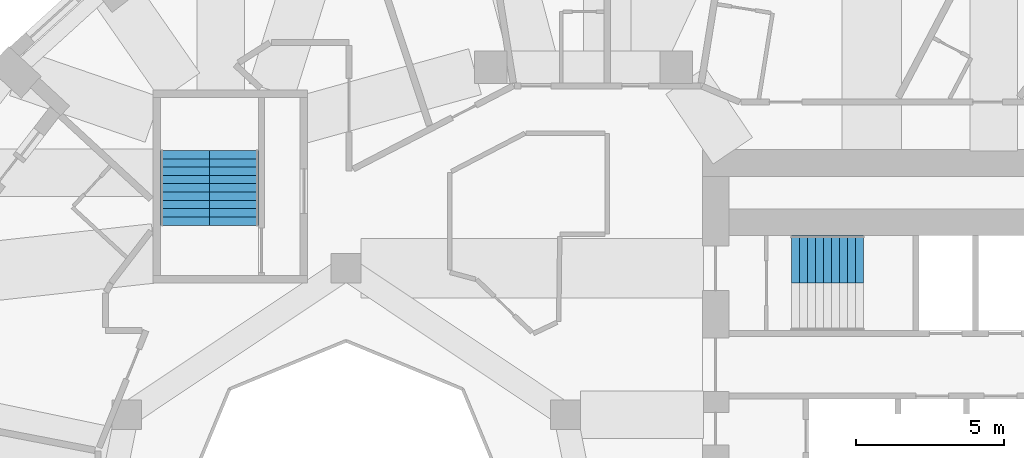
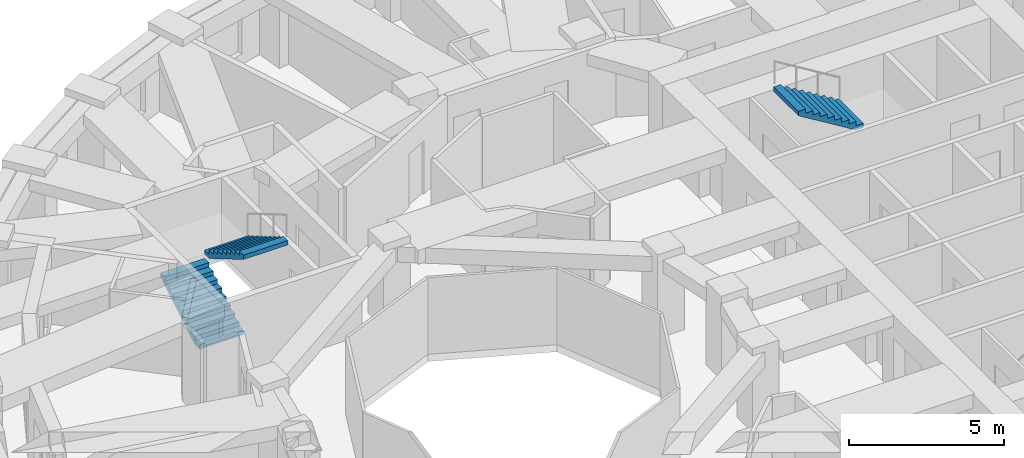
# One storey, part 10 of 13: 3 stair flights, 2 elements without a shape of their own.
"""IFC4 building model written with IfcOpenShell, lengths in metres."""

from ifc_helpers import new_model, si_unit, direction, frame, origin, place, context, subcontext, project, spatial, polyline, outline, extrude, material, type_object, element, aggregate, save


model = new_model("IFC4")

# Units and contexts
model_context = context("Model", 3, precision=1e-05, world=origin(), true_north=direction((0.0, 1.0)))
body_context = subcontext(model_context, "Body", "Model", "MODEL_VIEW")
ifc_project = project(units=[si_unit("LENGTHUNIT", "METRE"), si_unit("AREAUNIT", "SQUARE_METRE"), si_unit("VOLUMEUNIT", "CUBIC_METRE"), si_unit("PLANEANGLEUNIT", "RADIAN"), si_unit("MASSUNIT", "GRAM", prefix="KILO")], contexts=[model_context])

# Site, building, storey
site_placement = place(None, origin())
site = spatial("IfcSite", under=ifc_project, at=site_placement, CompositionType="ELEMENT")
building_placement = place(site_placement, origin())
building = spatial("IfcBuilding", under=site, at=building_placement, Name="Taillehof Tower", CompositionType="ELEMENT")
storey_placement = place(building_placement, frame((0.0, 0.0, 112.0)))
storey = spatial("IfcBuildingStorey", under=building, at=storey_placement, Name="L31", CompositionType="ELEMENT", Elevation=112.0)

# Stair, stair flight
ifc_material_1 = material(Name="Concrete C40/50", Category="concrete")
stair_type = type_object("IfcStairType", Name="Exit stair half-turn", PredefinedType="HALF_TURN_STAIR", material=ifc_material_1)
stair_1_placement = place(storey_placement, origin())
stair_1 = element("IfcStair", 1, at=stair_1_placement, inside=storey, type_object=stair_type, Name="Exit stair S1", PredefinedType="HALF_TURN_STAIR")
ifc_material_2 = material(Name="Concrete C40/50", Category="concrete")
stair_flight_type_1 = type_object("IfcStairFlightType", Name="Stair flight 1600 riser 165.0 going 270", PredefinedType="STRAIGHT", material=ifc_material_2)
stair_flight_1_placement = place(storey_placement, frame((9.429931640625, 8.300048828125, 1.64990234375), z_axis=(0.0, 0.0, 1.0), x_axis=(-1.0, 0.0, 0.0)))
stair_flight_1 = element("IfcStairFlight", 2, at=stair_flight_1_placement, type_object=stair_flight_type_1, Name="S1 flight 2", NumberOfRisers=10, NumberOfTreads=9, PredefinedType="STRAIGHT", RiserHeight=0.165, TreadLength=0.27, context=body_context, shape_type="SweptSolid", body=[
    extrude(outline(polyline([(0.0, 0.0), (0.0, 0.00537109375), (0.0, 0.0107421875), (0.0, 0.015869140625), (0.0, 0.021240234375), (0.0, 0.026611328125), (0.0, 0.031982421875), (0.0, 0.037353515625), (0.0, 0.04248046875), (0.0, 0.0478515625), (0.0, 0.05322265625), (0.0, 0.05859375), (0.0, 0.06396484375), (0.0, 0.069091796875), (0.0, 0.074462890625), (0.0, 0.079833984375), (0.0, 0.085205078125), (0.0, 0.090576171875), (0.0, 0.095703125), (0.0, 0.10107421875), (0.0, 0.1064453125), (0.0, 0.11181640625), (0.0, 0.1171875), (0.0, 0.122314453125), (0.0, 0.127685546875), (0.0, 0.133056640625), (0.0, 0.138427734375), (0.0, 0.143798828125), (0.0, 0.14892578125), (0.0, 0.154296875), (0.0, 0.15966796875), (0.0, 0.1650390625), (0.27001953125, 0.1650390625), (0.27001953125, 0.330078125), (0.5400390625, 0.330078125), (0.5400390625, 0.4951171875), (0.81005859375, 0.4951171875), (0.81005859375, 0.659912109375), (1.080078125, 0.659912109375), (1.080078125, 0.824951171875), (1.35009765625, 0.824951171875), (1.35009765625, 0.989990234375), (1.6201171875, 0.989990234375), (1.6201171875, 1.155029296875), (1.889892578125, 1.155029296875), (1.889892578125, 1.320068359375), (2.159912109375, 1.320068359375), (2.159912109375, 1.485107421875), (2.429931640625, 1.485107421875), (2.429931640625, 1.479248046875), (2.429931640625, 1.4736328125), (2.429931640625, 1.468017578125), (2.429931640625, 1.46240234375), (2.429931640625, 1.45654296875), (2.429931640625, 1.450927734375), (2.429931640625, 1.4453125), (2.429931640625, 1.439697265625), (2.429931640625, 1.43408203125), (2.429931640625, 1.42822265625), (2.429931640625, 1.422607421875), (2.429931640625, 1.4169921875), (2.429931640625, 1.411376953125), (2.429931640625, 1.40576171875), (2.429931640625, 1.39990234375), (2.429931640625, 1.394287109375), (2.429931640625, 1.388671875), (2.429931640625, 1.383056640625), (2.429931640625, 1.37744140625), (2.429931640625, 1.37158203125), (2.429931640625, 1.365966796875), (2.429931640625, 1.3603515625), (2.429931640625, 1.354736328125), (2.429931640625, 1.348876953125), (2.429931640625, 1.34326171875), (2.429931640625, 1.337646484375), (2.429931640625, 1.33203125), (2.429931640625, 1.326416015625), (2.429931640625, 1.320556640625), (2.429931640625, 1.31494140625), (2.429931640625, 1.309326171875), (0.287353515625, 0.0), (0.0, 0.0)])), frame((0.0, 0.800048828125, 0.0), z_axis=(0.0, -1.0, 0.0), x_axis=(1.0, 0.0, 0.0)), (0.0, 0.0, 1.0), 1.6),
])
aggregate(stair_1, [stair_flight_1])

# Stair, stair flights
stair_2_placement = place(storey_placement, origin())
stair_2 = element("IfcStair", 3, at=stair_2_placement, inside=storey, type_object=stair_type, Name="Exit stair S3", PredefinedType="HALF_TURN_STAIR")
ifc_material_3 = material(Name="Concrete C40/50", Category="concrete")
stair_flight_type_2 = type_object("IfcStairFlightType", Name="Stair flight 1650 riser 165.0 going 280", PredefinedType="STRAIGHT", material=ifc_material_3)
stair_flight_2_placement = place(storey_placement, frame((-13.425048828125, 9.449951171875, 0.0), z_axis=(0.0, 0.0, 1.0), x_axis=(0.0, 1.0, 0.0)))
stair_flight_2 = element("IfcStairFlight", 4, at=stair_flight_2_placement, type_object=stair_flight_type_2, Name="S3 flight 1", NumberOfRisers=10, NumberOfTreads=9, PredefinedType="STRAIGHT", RiserHeight=0.165, TreadLength=0.28, context=body_context, shape_type="SweptSolid", body=[
    extrude(outline(polyline([(0.0, 0.0), (0.0, 0.00537109375), (0.0, 0.0107421875), (0.0, 0.015869140625), (0.0, 0.021240234375), (0.0, 0.026611328125), (0.0, 0.031982421875), (0.0, 0.037353515625), (0.0, 0.04248046875), (0.0, 0.0478515625), (0.0, 0.05322265625), (0.0, 0.05859375), (0.0, 0.06396484375), (0.0, 0.069091796875), (0.0, 0.074462890625), (0.0, 0.079833984375), (0.0, 0.085205078125), (0.0, 0.090576171875), (0.0, 0.095703125), (0.0, 0.10107421875), (0.0, 0.1064453125), (0.0, 0.11181640625), (0.0, 0.1171875), (0.0, 0.122314453125), (0.0, 0.127685546875), (0.0, 0.133056640625), (0.0, 0.138427734375), (0.0, 0.143798828125), (0.0, 0.14892578125), (0.0, 0.154296875), (0.0, 0.15966796875), (0.0, 0.1650390625), (0.280029296875, 0.1650390625), (0.280029296875, 0.330078125), (0.56005859375, 0.330078125), (0.56005859375, 0.4951171875), (0.840087890625, 0.4951171875), (0.840087890625, 0.659912109375), (1.1201171875, 0.659912109375), (1.1201171875, 0.824951171875), (1.39990234375, 0.824951171875), (1.39990234375, 0.989990234375), (1.679931640625, 0.989990234375), (1.679931640625, 1.155029296875), (1.9599609375, 1.155029296875), (1.9599609375, 1.320068359375), (2.239990234375, 1.320068359375), (2.239990234375, 1.485107421875), (2.52001953125, 1.485107421875), (2.52001953125, 1.4794921875), (2.52001953125, 1.473876953125), (2.52001953125, 1.46826171875), (2.52001953125, 1.462646484375), (2.52001953125, 1.45703125), (2.52001953125, 1.451416015625), (2.52001953125, 1.44580078125), (2.52001953125, 1.440185546875), (2.52001953125, 1.4345703125), (2.52001953125, 1.428955078125), (2.52001953125, 1.42333984375), (2.52001953125, 1.417724609375), (2.52001953125, 1.412109375), (2.52001953125, 1.406494140625), (2.52001953125, 1.40087890625), (2.52001953125, 1.395263671875), (2.52001953125, 1.3896484375), (2.52001953125, 1.384033203125), (2.52001953125, 1.37841796875), (2.52001953125, 1.372802734375), (2.52001953125, 1.3671875), (2.52001953125, 1.361572265625), (2.52001953125, 1.35595703125), (2.52001953125, 1.350341796875), (2.52001953125, 1.3447265625), (2.52001953125, 1.339111328125), (2.52001953125, 1.33349609375), (2.52001953125, 1.327880859375), (2.52001953125, 1.322265625), (2.52001953125, 1.316650390625), (2.52001953125, 1.31103515625), (0.295166015625, 0.0), (0.0, 0.0)])), frame((0.0, 0.824951171875, 0.0), z_axis=(0.0, -1.0, 0.0), x_axis=(1.0, 0.0, 0.0)), (0.0, 0.0, 1.0), 1.65),
])
stair_flight_3_placement = place(storey_placement, frame((-11.77490234375, 11.969970703125, 1.64990234375), z_axis=(0.0, 0.0, 1.0), x_axis=(0.0, -1.0, 0.0)))
stair_flight_3 = element("IfcStairFlight", 5, at=stair_flight_3_placement, type_object=stair_flight_type_2, Name="S3 flight 2", NumberOfRisers=10, NumberOfTreads=9, PredefinedType="STRAIGHT", RiserHeight=0.165, TreadLength=0.28, context=body_context, shape_type="SweptSolid", body=[
    extrude(outline(polyline([(0.0, 0.0), (0.0, 0.00537109375), (0.0, 0.0107421875), (0.0, 0.015869140625), (0.0, 0.021240234375), (0.0, 0.026611328125), (0.0, 0.031982421875), (0.0, 0.037353515625), (0.0, 0.04248046875), (0.0, 0.0478515625), (0.0, 0.05322265625), (0.0, 0.05859375), (0.0, 0.06396484375), (0.0, 0.069091796875), (0.0, 0.074462890625), (0.0, 0.079833984375), (0.0, 0.085205078125), (0.0, 0.090576171875), (0.0, 0.095703125), (0.0, 0.10107421875), (0.0, 0.1064453125), (0.0, 0.11181640625), (0.0, 0.1171875), (0.0, 0.122314453125), (0.0, 0.127685546875), (0.0, 0.133056640625), (0.0, 0.138427734375), (0.0, 0.143798828125), (0.0, 0.14892578125), (0.0, 0.154296875), (0.0, 0.15966796875), (0.0, 0.1650390625), (0.280029296875, 0.1650390625), (0.280029296875, 0.330078125), (0.56005859375, 0.330078125), (0.56005859375, 0.4951171875), (0.840087890625, 0.4951171875), (0.840087890625, 0.659912109375), (1.1201171875, 0.659912109375), (1.1201171875, 0.824951171875), (1.39990234375, 0.824951171875), (1.39990234375, 0.989990234375), (1.679931640625, 0.989990234375), (1.679931640625, 1.155029296875), (1.9599609375, 1.155029296875), (1.9599609375, 1.320068359375), (2.239990234375, 1.320068359375), (2.239990234375, 1.485107421875), (2.52001953125, 1.485107421875), (2.52001953125, 1.4794921875), (2.52001953125, 1.473876953125), (2.52001953125, 1.46826171875), (2.52001953125, 1.462646484375), (2.52001953125, 1.45703125), (2.52001953125, 1.451416015625), (2.52001953125, 1.44580078125), (2.52001953125, 1.440185546875), (2.52001953125, 1.4345703125), (2.52001953125, 1.428955078125), (2.52001953125, 1.42333984375), (2.52001953125, 1.417724609375), (2.52001953125, 1.412109375), (2.52001953125, 1.406494140625), (2.52001953125, 1.40087890625), (2.52001953125, 1.395263671875), (2.52001953125, 1.3896484375), (2.52001953125, 1.384033203125), (2.52001953125, 1.37841796875), (2.52001953125, 1.372802734375), (2.52001953125, 1.3671875), (2.52001953125, 1.361572265625), (2.52001953125, 1.35595703125), (2.52001953125, 1.350341796875), (2.52001953125, 1.3447265625), (2.52001953125, 1.339111328125), (2.52001953125, 1.33349609375), (2.52001953125, 1.327880859375), (2.52001953125, 1.322265625), (2.52001953125, 1.316650390625), (2.52001953125, 1.31103515625), (0.295166015625, 0.0), (0.0, 0.0)])), frame((0.0, 0.824951171875, 0.0), z_axis=(0.0, -1.0, 0.0), x_axis=(1.0, 0.0, 0.0)), (0.0, 0.0, 1.0), 1.65),
])
aggregate(stair_2, [stair_flight_2, stair_flight_3])

save(model, "model.ifc")
